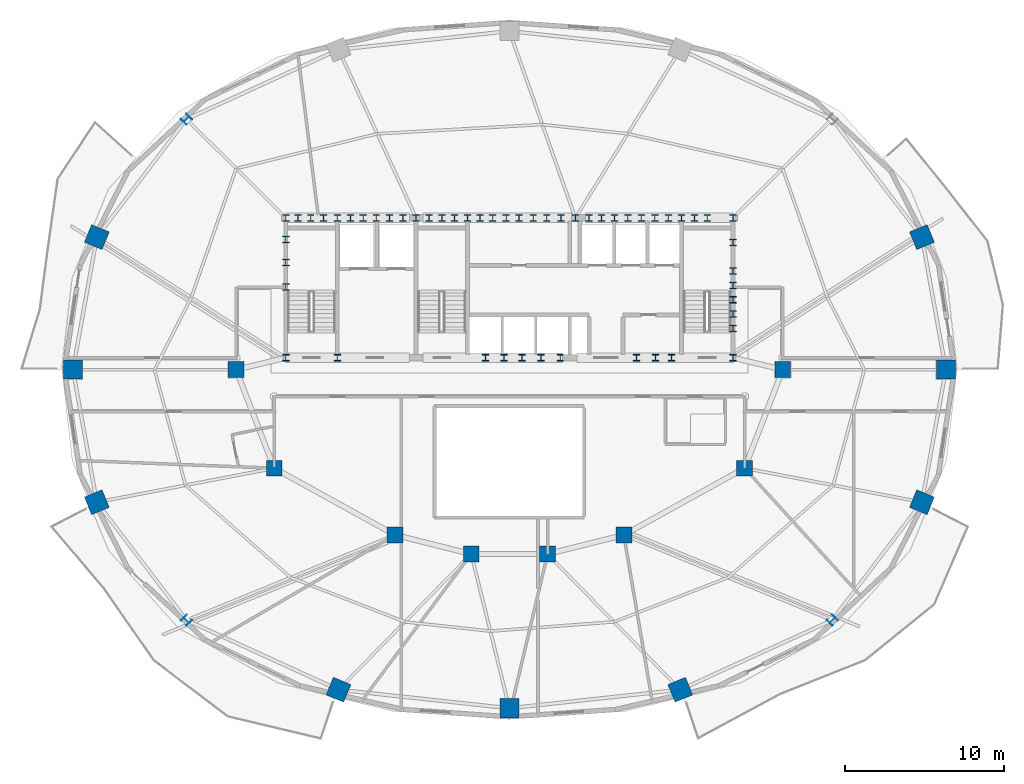
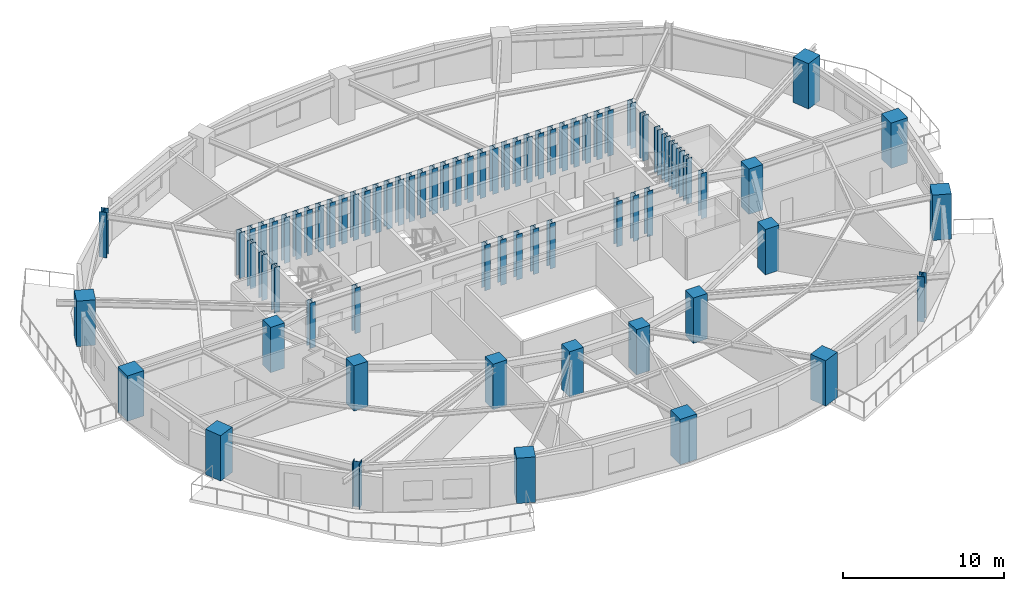
# One storey, part 1 of 11: 74 columns.
"""IFC4 building model written with IfcOpenShell, lengths in metres."""

from ifc_helpers import new_model, si_unit, direction, frame, origin, origin_2d, place, context, subcontext, project, spatial, rectangle, i_section, extrude, material, material_profile, profile_set, type_object, element, save


model = new_model("IFC4")

# Units and contexts
model_context = context("Model", 3, precision=1e-05, world=origin(), true_north=direction((0.0, 1.0)))
body_context = subcontext(model_context, "Body", "Model", "MODEL_VIEW")
ifc_project = project(units=[si_unit("LENGTHUNIT", "METRE"), si_unit("AREAUNIT", "SQUARE_METRE"), si_unit("VOLUMEUNIT", "CUBIC_METRE"), si_unit("PLANEANGLEUNIT", "RADIAN"), si_unit("MASSUNIT", "GRAM", prefix="KILO")], contexts=[model_context])

# Site, building, storey
site_placement = place(None, origin())
site = spatial("IfcSite", under=ifc_project, at=site_placement, CompositionType="ELEMENT")
building_placement = place(site_placement, origin())
building = spatial("IfcBuilding", under=site, at=building_placement, Name="Haldorwick Loom Tower", CompositionType="ELEMENT")
storey_placement = place(building_placement, frame((0.0, 0.0, 204.85009765625)))
storey = spatial("IfcBuildingStorey", under=building, at=storey_placement, Name="L55", CompositionType="ELEMENT", Elevation=204.85009765625)

# Columns
ifc_material_1 = material(Name="Concrete C60 (60 MPa)", Category="concrete")
ifc_material_profile_1 = material_profile(ifc_material_1, rectangle(XDim=1.0, YDim=1.0, at=origin_2d()), Name="RC1000X1000", Category="concrete")
ifc_profile_set_1 = profile_set([ifc_material_profile_1], Name="Concrete C60 (60 MPa)")
column_type_1 = type_object("IfcColumnType", Name="STR-COL-RC1000", PredefinedType="COLUMN", material=ifc_profile_set_1)
for number, where, z_axis, x_axis, name in (
    (1, (53.199951171875, 26.0, 0.0), (0.0, 0.0, 1.0), (1.0, 0.0, 0.0), "L55 Inner Column IC-01"),
    (2, (50.800048828125, 19.800048828125, 0.0), (0.0, 0.0, 1.0), (1.0, 0.0, 0.0), "L55 Inner Column IC-02"),
    (3, (43.199951171875, 15.60009765625, 0.0), (0.0, 0.0, 1.0), (1.0, 0.0, 0.0), "L55 Inner Column IC-03"),
    (4, (38.39990234375, 14.39990234375, 0.0), (0.0, 0.0, 1.0), (1.0, 0.0, 0.0), "L55 Inner Column IC-04"),
    (5, (33.60009765625, 14.39990234375, 0.0), (0.0, 0.0, 1.0), (1.0, 0.0, 0.0), "L55 Inner Column IC-05"),
    (6, (28.800048828125, 15.60009765625, 0.0), (0.0, 0.0, 1.0), (1.0, 0.0, 0.0), "L55 Inner Column IC-06"),
    (7, (21.199951171875, 19.800048828125, 0.0), (0.0, 0.0, 1.0), (1.0, 0.0, 0.0), "L55 Inner Column IC-07"),
    (8, (18.800048828125, 26.0, 0.0), (0.0, 0.0, 1.0), (1.0, 0.0, 0.0), "L55 Inner Column IC-08"),
):
    element("IfcColumn", number, at=place(storey_placement, frame(where, z_axis=z_axis, x_axis=x_axis)), inside=storey, type_object=column_type_1, Name=name, PredefinedType="COLUMN", context=body_context, shape_type="SweptSolid", body=[
        extrude(rectangle(XDim=1.0, YDim=1.0, at=origin_2d()), origin(), (0.0, 0.0, 1.0), 3.449951171875),
    ])
ifc_material_profile_2 = material_profile(ifc_material_1, rectangle(XDim=1.199951171875, YDim=1.199951171875, at=origin_2d()), Name="RC1200X1200", Category="concrete")
ifc_profile_set_2 = profile_set([ifc_material_profile_2], Name="Concrete C60 (60 MPa)")
column_type_2 = type_object("IfcColumnType", Name="STR-COL-RC1200", PredefinedType="COLUMN", material=ifc_profile_set_2)
for number, where, z_axis, x_axis, name in (
    (9, (63.46630859375, 26.0, 0.0), (0.0, 0.0, 1.0), (1.0, 0.0, 0.0), "L55 Perimeter Pier Column P01"),
    (10, (61.9609375, 34.342529296875, 0.0), (0.0, 0.0, 1.0), (0.923879532511, 0.382683432365, 0.0), "L55 Perimeter Pier Column P02"),
    (11, (10.0390625, 34.342529296875, 0.0), (0.0, 0.0, 1.0), (-0.923879532511, 0.382683432365, 0.0), "L55 Perimeter Pier Column P08"),
    (12, (8.53369140625, 26.0, 0.0), (0.0, 0.0, 1.0), (-1.0, 0.0, 0.0), "L55 Perimeter Pier Column P09"),
    (13, (10.0390625, 17.657470703125, 0.0), (0.0, 0.0, 1.0), (-0.923879532511, -0.382683432365, 0.0), "L55 Perimeter Pier Column P10"),
    (14, (25.24658203125, 5.859375, 0.0), (0.0, 0.0, 1.0), (-0.382683432365, -0.923879532511, 0.0), "L55 Perimeter Pier Column P12"),
    (15, (36.0, 4.695068359375, 0.0), (0.0, 0.0, 1.0), (0.0, -1.0, 0.0), "L55 Perimeter Pier Column P13"),
    (16, (46.75341796875, 5.859375, 0.0), (0.0, 0.0, 1.0), (0.382683432365, -0.923879532511, 0.0), "L55 Perimeter Pier Column P14"),
    (17, (61.9609375, 17.657470703125, 0.0), (0.0, 0.0, 1.0), (0.923879532511, -0.382683432365, 0.0), "L55 Perimeter Pier Column P16"),
):
    element("IfcColumn", number, at=place(storey_placement, frame(where, z_axis=z_axis, x_axis=x_axis)), inside=storey, type_object=column_type_2, Name=name, PredefinedType="COLUMN", context=body_context, shape_type="SweptSolid", body=[
        extrude(rectangle(XDim=1.199951171875, YDim=1.199951171875, at=origin_2d()), origin(), (0.0, 0.0, 1.0), 3.449951171875),
    ])
ifc_material_2 = material(Name="Steel CSA G40.21 350W", Category="steel")
ifc_material_profile_3 = material_profile(ifc_material_2, i_section(OverallWidth=0.406005859375, OverallDepth=0.416015625, WebThickness=0.024169921875, FlangeThickness=0.03857421875, at=origin_2d()), Name="W360X382", Category="steel")
ifc_profile_set_3 = profile_set([ifc_material_profile_3], Name="Steel CSA G40.21 350W")
column_type_3 = type_object("IfcColumnType", Name="STR-COL-W360X382", PredefinedType="COLUMN", material=ifc_profile_set_3)
for number, where, z_axis, x_axis, name in (
    (18, (21.929931640625, 35.550048828125, 0.0), (0.0, 0.0, 1.0), (1.0, 0.0, 0.0), "L55 Core Pilaster CB-01"),
    (19, (23.5, 35.550048828125, 0.0), (0.0, 0.0, 1.0), (1.0, 0.0, 0.0), "L55 Core Pilaster CB-02"),
    (20, (25.169921875, 35.550048828125, 0.0), (0.0, 0.0, 1.0), (1.0, 0.0, 0.0), "L55 Core Pilaster CB-03"),
    (21, (26.800048828125, 35.550048828125, 0.0), (0.0, 0.0, 1.0), (1.0, 0.0, 0.0), "L55 Core Pilaster CB-04"),
    (22, (28.449951171875, 35.550048828125, 0.0), (0.0, 0.0, 1.0), (1.0, 0.0, 0.0), "L55 Core Pilaster CB-05"),
    (23, (30.1298828125, 35.550048828125, 0.0), (0.0, 0.0, 1.0), (1.0, 0.0, 0.0), "L55 Core Pilaster CB-06"),
    (24, (31.75, 35.550048828125, 0.0), (0.0, 0.0, 1.0), (1.0, 0.0, 0.0), "L55 Core Pilaster CB-07"),
    (25, (33.3701171875, 35.550048828125, 0.0), (0.0, 0.0, 1.0), (1.0, 0.0, 0.0), "L55 Core Pilaster CB-08"),
    (26, (34.949951171875, 35.550048828125, 0.0), (0.0, 0.0, 1.0), (1.0, 0.0, 0.0), "L55 Core Pilaster CB-09"),
    (27, (36.60009765625, 35.550048828125, 0.0), (0.0, 0.0, 1.0), (1.0, 0.0, 0.0), "L55 Core Pilaster CB-10"),
    (28, (38.35009765625, 35.550048828125, 0.0), (0.0, 0.0, 1.0), (1.0, 0.0, 0.0), "L55 Core Pilaster CB-11"),
    (29, (40.14990234375, 35.550048828125, 0.0), (0.0, 0.0, 1.0), (1.0, 0.0, 0.0), "L55 Core Pilaster CB-12"),
    (30, (41.800048828125, 35.550048828125, 0.0), (0.0, 0.0, 1.0), (1.0, 0.0, 0.0), "L55 Core Pilaster CB-13"),
    (31, (43.449951171875, 35.550048828125, 0.0), (0.0, 0.0, 1.0), (1.0, 0.0, 0.0), "L55 Core Pilaster CB-14"),
    (32, (45.14990234375, 35.550048828125, 0.0), (0.0, 0.0, 1.0), (1.0, 0.0, 0.0), "L55 Core Pilaster CB-15"),
    (33, (46.830078125, 35.550048828125, 0.0), (0.0, 0.0, 1.0), (1.0, 0.0, 0.0), "L55 Core Pilaster CB-16"),
    (34, (48.449951171875, 35.550048828125, 0.0), (0.0, 0.0, 1.0), (1.0, 0.0, 0.0), "L55 Core Pilaster CB-17"),
    (35, (50.070068359375, 35.550048828125, 0.0), (0.0, 0.0, 1.0), (1.0, 0.0, 0.0), "L55 Core Pilaster CB-18"),
    (36, (21.929931640625, 26.75, 0.0), (0.0, 0.0, 1.0), (1.0, 0.0, 0.0), "L55 Core Pilaster CB-19"),
    (37, (25.169921875, 26.75, 0.0), (0.0, 0.0, 1.0), (1.0, 0.0, 0.0), "L55 Core Pilaster CB-20"),
    (38, (34.5, 26.75, 0.0), (0.0, 0.0, 1.0), (1.0, 0.0, 0.0), "L55 Core Pilaster CB-21"),
    (39, (36.800048828125, 26.75, 0.0), (0.0, 0.0, 1.0), (1.0, 0.0, 0.0), "L55 Core Pilaster CB-22"),
    (40, (39.199951171875, 26.75, 0.0), (0.0, 0.0, 1.0), (1.0, 0.0, 0.0), "L55 Core Pilaster CB-23"),
    (41, (45.199951171875, 26.75, 0.0), (0.0, 0.0, 1.0), (1.0, 0.0, 0.0), "L55 Core Pilaster CB-24"),
    (42, (50.070068359375, 26.75, 0.0), (0.0, 0.0, 1.0), (1.0, 0.0, 0.0), "L55 Core Pilaster CB-25"),
    (43, (21.929931640625, 31.199951171875, 0.0), (0.0, 0.0, 1.0), (1.0, 0.0, 0.0), "L55 Core Pilaster CB-26"),
    (44, (21.929931640625, 32.75, 0.0), (0.0, 0.0, 1.0), (1.0, 0.0, 0.0), "L55 Core Pilaster CB-27"),
    (45, (21.929931640625, 34.199951171875, 0.0), (0.0, 0.0, 1.0), (1.0, 0.0, 0.0), "L55 Core Pilaster CB-28"),
    (46, (50.070068359375, 28.60009765625, 0.0), (0.0, 0.0, 1.0), (1.0, 0.0, 0.0), "L55 Core Pilaster CB-29"),
    (47, (50.070068359375, 30.39990234375, 0.0), (0.0, 0.0, 1.0), (1.0, 0.0, 0.0), "L55 Core Pilaster CB-30"),
    (48, (50.070068359375, 32.199951171875, 0.0), (0.0, 0.0, 1.0), (1.0, 0.0, 0.0), "L55 Core Pilaster CB-31"),
    (49, (50.070068359375, 34.0, 0.0), (0.0, 0.0, 1.0), (1.0, 0.0, 0.0), "L55 Core Pilaster CB-32"),
    (50, (22.699951171875, 35.550048828125, 0.0), (0.0, 0.0, 1.0), (1.0, 0.0, 0.0), "L55 Core Pilaster CB-33"),
    (51, (27.6201171875, 35.550048828125, 0.0), (0.0, 0.0, 1.0), (1.0, 0.0, 0.0), "L55 Core Pilaster CB-34"),
    (52, (32.550048828125, 35.550048828125, 0.0), (0.0, 0.0, 1.0), (1.0, 0.0, 0.0), "L55 Core Pilaster CB-35"),
    (53, (37.5, 35.550048828125, 0.0), (0.0, 0.0, 1.0), (1.0, 0.0, 0.0), "L55 Core Pilaster CB-36"),
    (54, (42.6201171875, 35.550048828125, 0.0), (0.0, 0.0, 1.0), (1.0, 0.0, 0.0), "L55 Core Pilaster CB-37"),
    (55, (47.64990234375, 35.550048828125, 0.0), (0.0, 0.0, 1.0), (1.0, 0.0, 0.0), "L55 Core Pilaster CB-38"),
    (56, (24.300048828125, 35.550048828125, 0.0), (0.0, 0.0, 1.0), (1.0, 0.0, 0.0), "L55 Core Pilaster CB-39"),
    (57, (26.0, 35.550048828125, 0.0), (0.0, 0.0, 1.0), (1.0, 0.0, 0.0), "L55 Core Pilaster CB-40"),
    (58, (29.300048828125, 35.550048828125, 0.0), (0.0, 0.0, 1.0), (1.0, 0.0, 0.0), "L55 Core Pilaster CB-41"),
    (59, (30.949951171875, 35.550048828125, 0.0), (0.0, 0.0, 1.0), (1.0, 0.0, 0.0), "L55 Core Pilaster CB-42"),
    (60, (34.14990234375, 35.550048828125, 0.0), (0.0, 0.0, 1.0), (1.0, 0.0, 0.0), "L55 Core Pilaster CB-43"),
    (61, (35.800048828125, 35.550048828125, 0.0), (0.0, 0.0, 1.0), (1.0, 0.0, 0.0), "L55 Core Pilaster CB-44"),
    (62, (39.25, 35.550048828125, 0.0), (0.0, 0.0, 1.0), (1.0, 0.0, 0.0), "L55 Core Pilaster CB-45"),
    (63, (41.0, 35.550048828125, 0.0), (0.0, 0.0, 1.0), (1.0, 0.0, 0.0), "L55 Core Pilaster CB-46"),
    (64, (44.300048828125, 35.550048828125, 0.0), (0.0, 0.0, 1.0), (1.0, 0.0, 0.0), "L55 Core Pilaster CB-47"),
    (65, (46.0, 35.550048828125, 0.0), (0.0, 0.0, 1.0), (1.0, 0.0, 0.0), "L55 Core Pilaster CB-48"),
    (66, (50.070068359375, 29.5, 0.0), (0.0, 0.0, 1.0), (1.0, 0.0, 0.0), "L55 Core Pilaster CB-49"),
    (67, (50.070068359375, 31.300048828125, 0.0), (0.0, 0.0, 1.0), (1.0, 0.0, 0.0), "L55 Core Pilaster CB-50"),
    (68, (35.64990234375, 26.75, 0.0), (0.0, 0.0, 1.0), (1.0, 0.0, 0.0), "L55 Core Pilaster CB-51"),
    (69, (38.0, 26.75, 0.0), (0.0, 0.0, 1.0), (1.0, 0.0, 0.0), "L55 Core Pilaster CB-52"),
    (70, (44.0, 26.75, 0.0), (0.0, 0.0, 1.0), (1.0, 0.0, 0.0), "L55 Core Pilaster CB-53"),
    (71, (46.199951171875, 26.75, 0.0), (0.0, 0.0, 1.0), (1.0, 0.0, 0.0), "L55 Core Pilaster CB-54"),
):
    element("IfcColumn", number, at=place(storey_placement, frame(where, z_axis=z_axis, x_axis=x_axis)), inside=storey, type_object=column_type_3, Name=name, PredefinedType="COLUMN", context=body_context, shape_type="SweptSolid", body=[
        extrude(i_section(OverallWidth=0.406005859375, OverallDepth=0.416015625, WebThickness=0.024169921875, FlangeThickness=0.03857421875, at=origin_2d()), origin(), (0.0, 0.0, 1.0), 3.449951171875),
    ])
ifc_material_3 = material(Name="Steel CSA G40.21 350WT", Category="steel")
ifc_material_profile_4 = material_profile(ifc_material_3, i_section(OverallWidth=0.5, OverallDepth=0.5, WebThickness=0.02197265625, FlangeThickness=0.031982421875, at=origin_2d()), Name="WWF500X500", Category="steel")
ifc_profile_set_4 = profile_set([ifc_material_profile_4], Name="Steel CSA G40.21 350WT")
column_type_4 = type_object("IfcColumnType", Name="STR-COL-WWF500", PredefinedType="COLUMN", material=ifc_profile_set_4)
for number, where, z_axis, x_axis, name in (
    (72, (15.682373046875, 41.764892578125, 0.0), (0.0, 0.0, 1.0), (-0.707106781187, 0.707106781187, 0.0), "L55 Perimeter Pier Column P07"),
    (73, (15.682373046875, 10.235107421875, 0.0), (0.0, 0.0, 1.0), (-0.707106781187, -0.707106781187, 0.0), "L55 Perimeter Pier Column P11"),
    (74, (56.317626953125, 10.235107421875, 0.0), (0.0, 0.0, 1.0), (0.707106781187, -0.707106781187, 0.0), "L55 Perimeter Pier Column P15"),
):
    element("IfcColumn", number, at=place(storey_placement, frame(where, z_axis=z_axis, x_axis=x_axis)), inside=storey, type_object=column_type_4, Name=name, PredefinedType="COLUMN", context=body_context, shape_type="SweptSolid", body=[
        extrude(i_section(OverallWidth=0.5, OverallDepth=0.5, WebThickness=0.02197265625, FlangeThickness=0.031982421875, at=origin_2d()), origin(), (0.0, 0.0, 1.0), 3.449951171875),
    ])

save(model, "model.ifc")
